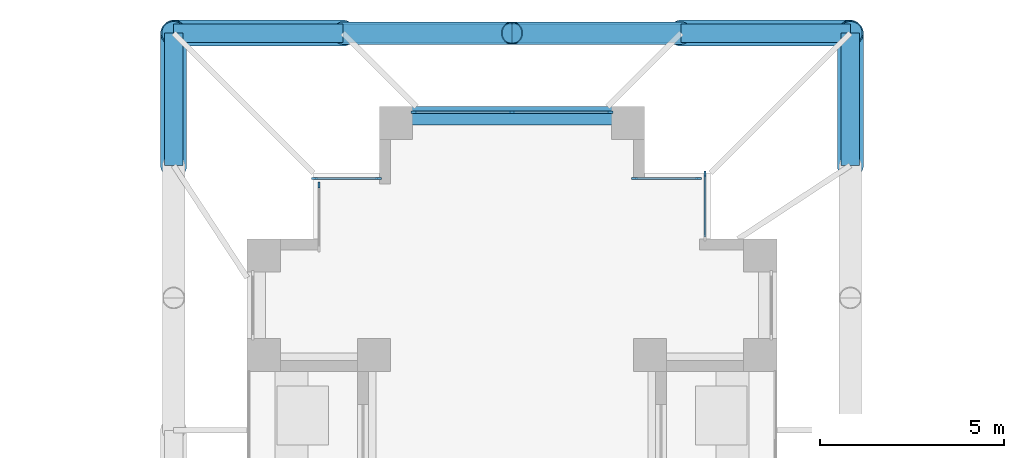
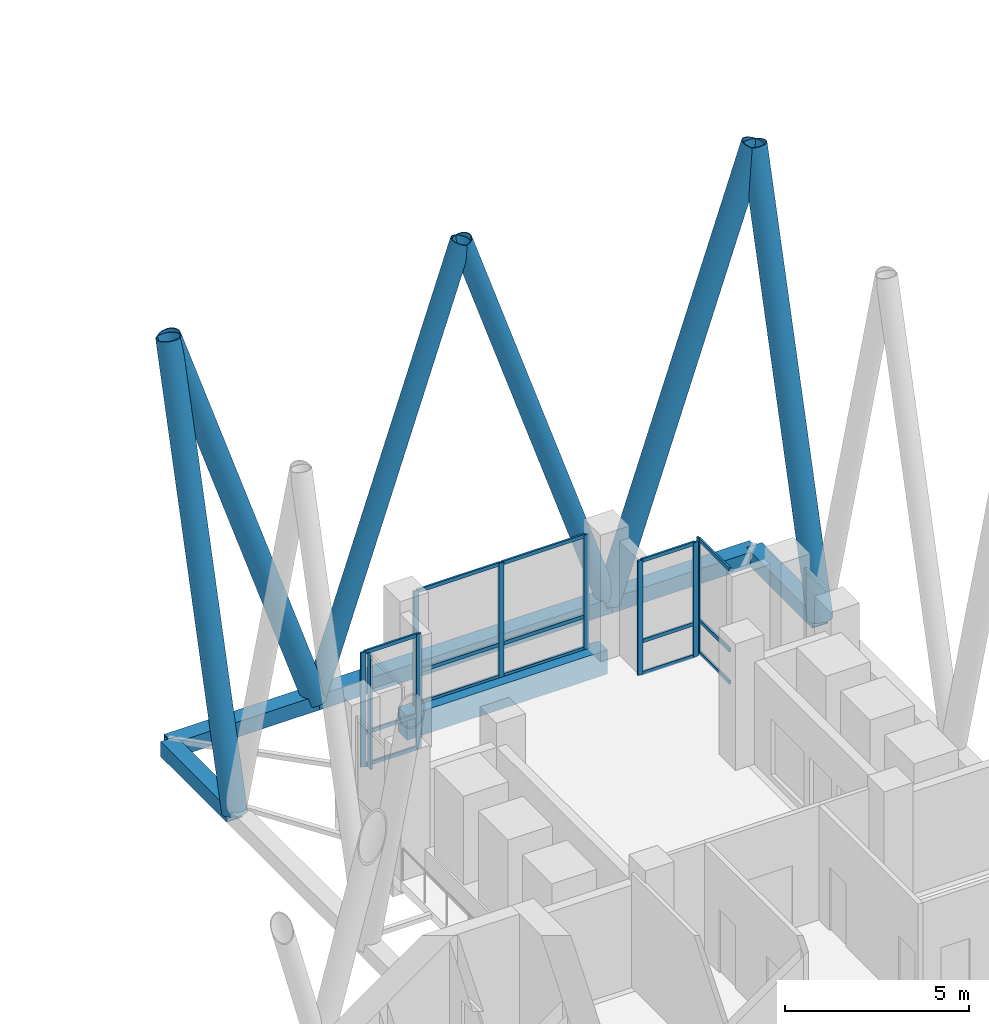
# One storey, part 10 of 22: 35 members, 1 beam, 5 elements without a shape of their own.
"""IFC4 building model written with IfcOpenShell, lengths in metres."""

from ifc_helpers import new_model, si_unit, direction, frame, origin, origin_2d, place, context, subcontext, project, spatial, rectangle, hollow_rectangle, hollow_circle, extrude, material, material_profile, profile_set, type_object, element, aggregate, save


model = new_model("IFC4")

# Units and contexts
model_context = context("Model", 3, precision=1e-05, world=origin(), true_north=direction((0.0, 1.0)))
body_context = subcontext(model_context, "Body", "Model", "MODEL_VIEW")
ifc_project = project(units=[si_unit("LENGTHUNIT", "METRE"), si_unit("AREAUNIT", "SQUARE_METRE"), si_unit("VOLUMEUNIT", "CUBIC_METRE"), si_unit("PLANEANGLEUNIT", "RADIAN"), si_unit("MASSUNIT", "GRAM", prefix="KILO")], contexts=[model_context])

# Site, building, storey
site_placement = place(None, origin())
site = spatial("IfcSite", under=ifc_project, at=site_placement, CompositionType="ELEMENT")
building_placement = place(site_placement, origin())
building = spatial("IfcBuilding", under=site, at=building_placement, Name="Fustian Cross Tower", CompositionType="ELEMENT")
storey_placement = place(building_placement, frame((0.0, 0.0, 116.10009765625)))
storey = spatial("IfcBuildingStorey", under=building, at=storey_placement, Name="L36", CompositionType="ELEMENT", Elevation=116.10009765625)

# Curtain wall, member
ifc_material_1 = material(Name="Dark anodised aluminium and double glazing", Category="aluminium")
curtain_wall_type = type_object("IfcCurtainWallType", Name="CW1 LOUNGE CURTAIN WALL", PredefinedType="NOTDEFINED", material=ifc_material_1)
curtain_wall_1_placement = place(storey_placement, origin())
curtain_wall_1 = element("IfcCurtainWall", 1, at=curtain_wall_1_placement, inside=storey, type_object=curtain_wall_type, Name="Curtain wall", PredefinedType="NOTDEFINED")
ifc_material_2 = material(Name="Aluminium alloy 6063", Category="aluminium")
ifc_material_profile_1 = material_profile(ifc_material_2, rectangle(XDim=0.06005859375, YDim=0.159912109375, at=origin_2d()), Name="CW1 MULLION 60X160")
ifc_profile_set_1 = profile_set([ifc_material_profile_1], Name="Aluminium alloy 6063")
member_type_1 = type_object("IfcMemberType", Name="CW1 MULLION 60X160", PredefinedType="MULLION", material=ifc_profile_set_1)
member_1_placement = place(storey_placement, frame((5.25, 19.77001953125, 0.0), z_axis=(0.0, 0.0, 1.0), x_axis=(-1.0, 0.0, 0.0)))
member_1 = element("IfcMember", 2, at=member_1_placement, type_object=member_type_1, Name="CW1 mullion 2", PredefinedType="MULLION", context=body_context, shape_type="SweptSolid", body=[
    extrude(rectangle(XDim=0.06005859375, YDim=0.159912109375, at=origin_2d()), origin(), (0.0, 0.0, 1.0), 3.7998046875),
])

# Curtain wall, members
curtain_wall_2_placement = place(storey_placement, origin())
curtain_wall_2 = element("IfcCurtainWall", 3, at=curtain_wall_2_placement, inside=storey, type_object=curtain_wall_type, Name="Curtain wall", PredefinedType="NOTDEFINED")
member_2_placement = place(storey_placement, frame((5.070068359375, 19.64990234375, 0.0), z_axis=(0.0, 0.0, 1.0), x_axis=(0.0, -1.0, 0.0)))
member_2 = element("IfcMember", 4, at=member_2_placement, type_object=member_type_1, Name="CW1 mullion 1", PredefinedType="MULLION", context=body_context, shape_type="SweptSolid", body=[
    extrude(rectangle(XDim=0.06005859375, YDim=0.159912109375, at=origin_2d()), origin(), (0.0, 0.0, 1.0), 3.7998046875),
])
member_3_placement = place(storey_placement, frame((3.330078125, 19.64990234375, 0.0), z_axis=(0.0, 0.0, 1.0), x_axis=(0.0, -1.0, 0.0)))
member_3 = element("IfcMember", 5, at=member_3_placement, type_object=member_type_1, Name="CW1 mullion 2", PredefinedType="MULLION", context=body_context, shape_type="SweptSolid", body=[
    extrude(rectangle(XDim=0.06005859375, YDim=0.159912109375, at=origin_2d()), origin(), (0.0, 0.0, 1.0), 3.7998046875),
])

curtain_wall_3_placement = place(storey_placement, origin())
curtain_wall_3 = element("IfcCurtainWall", 6, at=curtain_wall_3_placement, inside=storey, type_object=curtain_wall_type, Name="Curtain wall", PredefinedType="NOTDEFINED")
member_4_placement = place(storey_placement, frame((2.669921875, 21.449951171875, 0.0), z_axis=(0.0, 0.0, 1.0), x_axis=(0.0, -1.0, 0.0)))
member_4 = element("IfcMember", 7, at=member_4_placement, type_object=member_type_1, Name="CW1 mullion 1", PredefinedType="MULLION", context=body_context, shape_type="SweptSolid", body=[
    extrude(rectangle(XDim=0.06005859375, YDim=0.159912109375, at=origin_2d()), origin(), (0.0, 0.0, 1.0), 3.7998046875),
])
member_5_placement = place(storey_placement, frame((0.0, 21.449951171875, 0.0), z_axis=(0.0, 0.0, 1.0), x_axis=(0.0, -1.0, 0.0)))
member_5 = element("IfcMember", 8, at=member_5_placement, type_object=member_type_1, Name="CW1 mullion 2", PredefinedType="MULLION", context=body_context, shape_type="SweptSolid", body=[
    extrude(rectangle(XDim=0.06005859375, YDim=0.159912109375, at=origin_2d()), origin(), (0.0, 0.0, 1.0), 3.7998046875),
])
member_6_placement = place(storey_placement, frame((-2.669921875, 21.449951171875, 0.0), z_axis=(0.0, 0.0, 1.0), x_axis=(0.0, -1.0, 0.0)))
member_6 = element("IfcMember", 9, at=member_6_placement, type_object=member_type_1, Name="CW1 mullion 3", PredefinedType="MULLION", context=body_context, shape_type="SweptSolid", body=[
    extrude(rectangle(XDim=0.06005859375, YDim=0.159912109375, at=origin_2d()), origin(), (0.0, 0.0, 1.0), 3.7998046875),
])

curtain_wall_4_placement = place(storey_placement, origin())
curtain_wall_4 = element("IfcCurtainWall", 10, at=curtain_wall_4_placement, inside=storey, type_object=curtain_wall_type, Name="Curtain wall", PredefinedType="NOTDEFINED")
member_7_placement = place(storey_placement, frame((-3.6298828125, 19.64990234375, 0.0), z_axis=(0.0, 0.0, 1.0), x_axis=(0.0, -1.0, 0.0)))
member_7 = element("IfcMember", 11, at=member_7_placement, type_object=member_type_1, Name="CW1 mullion 1", PredefinedType="MULLION", context=body_context, shape_type="SweptSolid", body=[
    extrude(rectangle(XDim=0.06005859375, YDim=0.159912109375, at=origin_2d()), origin(), (0.0, 0.0, 1.0), 3.7998046875),
])
member_8_placement = place(storey_placement, frame((-5.3701171875, 19.64990234375, 0.0), z_axis=(0.0, 0.0, 1.0), x_axis=(0.0, -1.0, 0.0)))
member_8 = element("IfcMember", 12, at=member_8_placement, type_object=member_type_1, Name="CW1 mullion 2", PredefinedType="MULLION", context=body_context, shape_type="SweptSolid", body=[
    extrude(rectangle(XDim=0.06005859375, YDim=0.159912109375, at=origin_2d()), origin(), (0.0, 0.0, 1.0), 3.7998046875),
])

# Curtain wall, member
curtain_wall_5_placement = place(storey_placement, origin())
curtain_wall_5 = element("IfcCurtainWall", 13, at=curtain_wall_5_placement, inside=storey, type_object=curtain_wall_type, Name="Curtain wall", PredefinedType="NOTDEFINED")
member_9_placement = place(storey_placement, frame((-5.25, 19.469970703125, 0.0), z_axis=(0.0, 0.0, 1.0), x_axis=(1.0, 0.0, 0.0)))
member_9 = element("IfcMember", 14, at=member_9_placement, type_object=member_type_1, Name="CW1 mullion 1", PredefinedType="MULLION", context=body_context, shape_type="SweptSolid", body=[
    extrude(rectangle(XDim=0.06005859375, YDim=0.159912109375, at=origin_2d()), origin(), (0.0, 0.0, 1.0), 3.7998046875),
])
aggregate(curtain_wall_5, [member_9])

# Member
ifc_material_3 = material(Name="Aluminium alloy 6063", Category="aluminium")
ifc_material_profile_2 = material_profile(ifc_material_3, rectangle(XDim=0.06005859375, YDim=0.1201171875, at=origin_2d()), Name="CW1 TRANSOM 60X120")
ifc_profile_set_2 = profile_set([ifc_material_profile_2], Name="Aluminium alloy 6063")
member_type_2 = type_object("IfcMemberType", Name="CW1 TRANSOM 60X120", PredefinedType="USERDEFINED", material=ifc_profile_set_2)
member_10_placement = place(storey_placement, frame((5.25, 18.06005859375, 0.02978515625), z_axis=(0.0, 1.0, 0.0), x_axis=(-1.0, 0.0, 0.0)))
member_10 = element("IfcMember", 15, at=member_10_placement, type_object=member_type_2, Name="CW1 transom 1.1", ObjectType="TRANSOM", PredefinedType="USERDEFINED", context=body_context, shape_type="SweptSolid", body=[
    extrude(rectangle(XDim=0.06005859375, YDim=0.1201171875, at=origin_2d()), origin(), (0.0, 0.0, 1.0), 1.679931640625),
])

member_11_placement = place(storey_placement, frame((5.25, 18.06005859375, 1.099853515625), z_axis=(0.0, 1.0, 0.0), x_axis=(-1.0, 0.0, 0.0)))
member_11 = element("IfcMember", 16, at=member_11_placement, type_object=member_type_2, Name="CW1 transom 1.2", ObjectType="TRANSOM", PredefinedType="USERDEFINED", context=body_context, shape_type="SweptSolid", body=[
    extrude(rectangle(XDim=0.06005859375, YDim=0.1201171875, at=origin_2d()), origin(), (0.0, 0.0, 1.0), 1.679931640625),
])

member_12_placement = place(storey_placement, frame((5.25, 18.06005859375, 3.77001953125), z_axis=(0.0, 1.0, 0.0), x_axis=(-1.0, 0.0, 0.0)))
member_12 = element("IfcMember", 17, at=member_12_placement, type_object=member_type_2, Name="CW1 transom 1.3", ObjectType="TRANSOM", PredefinedType="USERDEFINED", context=body_context, shape_type="SweptSolid", body=[
    extrude(rectangle(XDim=0.06005859375, YDim=0.1201171875, at=origin_2d()), origin(), (0.0, 0.0, 1.0), 1.679931640625),
])

aggregate(curtain_wall_1, [member_1, member_10, member_11, member_12])

member_13_placement = place(storey_placement, frame((5.0400390625, 19.64990234375, 0.02978515625), z_axis=(-1.0, 0.0, 0.0), x_axis=(0.0, -1.0, 0.0)))
member_13 = element("IfcMember", 18, at=member_13_placement, type_object=member_type_2, Name="CW1 transom 1.1", ObjectType="TRANSOM", PredefinedType="USERDEFINED", context=body_context, shape_type="SweptSolid", body=[
    extrude(rectangle(XDim=0.06005859375, YDim=0.1201171875, at=origin_2d()), origin(), (0.0, 0.0, 1.0), 1.679931640625),
])

member_14_placement = place(storey_placement, frame((5.0400390625, 19.64990234375, 1.099853515625), z_axis=(-1.0, 0.0, 0.0), x_axis=(0.0, -1.0, 0.0)))
member_14 = element("IfcMember", 19, at=member_14_placement, type_object=member_type_2, Name="CW1 transom 1.2", ObjectType="TRANSOM", PredefinedType="USERDEFINED", context=body_context, shape_type="SweptSolid", body=[
    extrude(rectangle(XDim=0.06005859375, YDim=0.1201171875, at=origin_2d()), origin(), (0.0, 0.0, 1.0), 1.679931640625),
])

member_15_placement = place(storey_placement, frame((5.0400390625, 19.64990234375, 3.77001953125), z_axis=(-1.0, 0.0, 0.0), x_axis=(0.0, -1.0, 0.0)))
member_15 = element("IfcMember", 20, at=member_15_placement, type_object=member_type_2, Name="CW1 transom 1.3", ObjectType="TRANSOM", PredefinedType="USERDEFINED", context=body_context, shape_type="SweptSolid", body=[
    extrude(rectangle(XDim=0.06005859375, YDim=0.1201171875, at=origin_2d()), origin(), (0.0, 0.0, 1.0), 1.679931640625),
])

aggregate(curtain_wall_2, [member_2, member_3, member_13, member_14, member_15])

member_16_placement = place(storey_placement, frame((2.639892578125, 21.449951171875, 0.02978515625), z_axis=(-1.0, 0.0, 0.0), x_axis=(0.0, -1.0, 0.0)))
member_16 = element("IfcMember", 21, at=member_16_placement, type_object=member_type_2, Name="CW1 transom 1.1", ObjectType="TRANSOM", PredefinedType="USERDEFINED", context=body_context, shape_type="SweptSolid", body=[
    extrude(rectangle(XDim=0.06005859375, YDim=0.1201171875, at=origin_2d()), origin(), (0.0, 0.0, 1.0), 2.60986328125),
])

member_17_placement = place(storey_placement, frame((2.639892578125, 21.449951171875, 1.099853515625), z_axis=(-1.0, 0.0, 0.0), x_axis=(0.0, -1.0, 0.0)))
member_17 = element("IfcMember", 22, at=member_17_placement, type_object=member_type_2, Name="CW1 transom 1.2", ObjectType="TRANSOM", PredefinedType="USERDEFINED", context=body_context, shape_type="SweptSolid", body=[
    extrude(rectangle(XDim=0.06005859375, YDim=0.1201171875, at=origin_2d()), origin(), (0.0, 0.0, 1.0), 2.60986328125),
])

member_18_placement = place(storey_placement, frame((2.639892578125, 21.449951171875, 3.77001953125), z_axis=(-1.0, 0.0, 0.0), x_axis=(0.0, -1.0, 0.0)))
member_18 = element("IfcMember", 23, at=member_18_placement, type_object=member_type_2, Name="CW1 transom 1.3", ObjectType="TRANSOM", PredefinedType="USERDEFINED", context=body_context, shape_type="SweptSolid", body=[
    extrude(rectangle(XDim=0.06005859375, YDim=0.1201171875, at=origin_2d()), origin(), (0.0, 0.0, 1.0), 2.60986328125),
])

member_19_placement = place(storey_placement, frame((-0.030029296875, 21.449951171875, 0.02978515625), z_axis=(-1.0, 0.0, 0.0), x_axis=(0.0, -1.0, 0.0)))
member_19 = element("IfcMember", 24, at=member_19_placement, type_object=member_type_2, Name="CW1 transom 2.1", ObjectType="TRANSOM", PredefinedType="USERDEFINED", context=body_context, shape_type="SweptSolid", body=[
    extrude(rectangle(XDim=0.06005859375, YDim=0.1201171875, at=origin_2d()), origin(), (0.0, 0.0, 1.0), 2.60986328125),
])

member_20_placement = place(storey_placement, frame((-0.030029296875, 21.449951171875, 1.099853515625), z_axis=(-1.0, 0.0, 0.0), x_axis=(0.0, -1.0, 0.0)))
member_20 = element("IfcMember", 25, at=member_20_placement, type_object=member_type_2, Name="CW1 transom 2.2", ObjectType="TRANSOM", PredefinedType="USERDEFINED", context=body_context, shape_type="SweptSolid", body=[
    extrude(rectangle(XDim=0.06005859375, YDim=0.1201171875, at=origin_2d()), origin(), (0.0, 0.0, 1.0), 2.60986328125),
])

member_21_placement = place(storey_placement, frame((-0.030029296875, 21.449951171875, 3.77001953125), z_axis=(-1.0, 0.0, 0.0), x_axis=(0.0, -1.0, 0.0)))
member_21 = element("IfcMember", 26, at=member_21_placement, type_object=member_type_2, Name="CW1 transom 2.3", ObjectType="TRANSOM", PredefinedType="USERDEFINED", context=body_context, shape_type="SweptSolid", body=[
    extrude(rectangle(XDim=0.06005859375, YDim=0.1201171875, at=origin_2d()), origin(), (0.0, 0.0, 1.0), 2.60986328125),
])

aggregate(curtain_wall_3, [member_4, member_5, member_6, member_16, member_17, member_18, member_19, member_20, member_21])

member_22_placement = place(storey_placement, frame((-3.659912109375, 19.64990234375, 0.02978515625), z_axis=(-1.0, 0.0, 0.0), x_axis=(0.0, -1.0, 0.0)))
member_22 = element("IfcMember", 27, at=member_22_placement, type_object=member_type_2, Name="CW1 transom 1.1", ObjectType="TRANSOM", PredefinedType="USERDEFINED", context=body_context, shape_type="SweptSolid", body=[
    extrude(rectangle(XDim=0.06005859375, YDim=0.1201171875, at=origin_2d()), origin(), (0.0, 0.0, 1.0), 1.68017578125),
])

member_23_placement = place(storey_placement, frame((-3.659912109375, 19.64990234375, 1.099853515625), z_axis=(-1.0, 0.0, 0.0), x_axis=(0.0, -1.0, 0.0)))
member_23 = element("IfcMember", 28, at=member_23_placement, type_object=member_type_2, Name="CW1 transom 1.2", ObjectType="TRANSOM", PredefinedType="USERDEFINED", context=body_context, shape_type="SweptSolid", body=[
    extrude(rectangle(XDim=0.06005859375, YDim=0.1201171875, at=origin_2d()), origin(), (0.0, 0.0, 1.0), 1.68017578125),
])

member_24_placement = place(storey_placement, frame((-3.659912109375, 19.64990234375, 3.77001953125), z_axis=(-1.0, 0.0, 0.0), x_axis=(0.0, -1.0, 0.0)))
member_24 = element("IfcMember", 29, at=member_24_placement, type_object=member_type_2, Name="CW1 transom 1.3", ObjectType="TRANSOM", PredefinedType="USERDEFINED", context=body_context, shape_type="SweptSolid", body=[
    extrude(rectangle(XDim=0.06005859375, YDim=0.1201171875, at=origin_2d()), origin(), (0.0, 0.0, 1.0), 1.68017578125),
])

aggregate(curtain_wall_4, [member_7, member_8, member_22, member_23, member_24])

# Members
ifc_material_4 = material(Name="Steel S355", Category="steel")
ifc_material_profile_3 = material_profile(ifc_material_4, hollow_circle(Radius=0.3046875, WallThickness=0.02490234375, at=origin_2d()), Name="CHS 610x25")
ifc_profile_set_3 = profile_set([ifc_material_profile_3], Name="Steel S355")
member_type_3 = type_object("IfcMemberType", Name="DIAGRID DIAGONAL CHS 610x25", PredefinedType="BRACE", material=ifc_profile_set_3)
for number, where, z_axis, x_axis, name in (
    (30, (4.60009765625, 23.60009765625, -0.400146484375), (-0.32040791786, 0.0, 0.947279666293), (0.0, -1.0, 0.0), "Diagrid diagonal N-end 02"),
    (31, (-4.60009765625, 23.60009765625, -0.400146484375), (0.32040791786, 0.0, 0.947279666293), (0.0, 1.0, 0.0), "Diagrid diagonal N-end 03"),
):
    element("IfcMember", number, at=place(storey_placement, frame(where, z_axis=z_axis, x_axis=x_axis)), inside=storey, type_object=member_type_3, Name=name, PredefinedType="BRACE", context=body_context, shape_type="SweptSolid", body=[
        extrude(hollow_circle(Radius=0.3046875, WallThickness=0.02490234375, at=origin_2d()), origin(), (0.0, 0.0, 1.0), 14.35693359375),
    ])
ifc_material_5 = material(Name="Steel S355", Category="steel")
ifc_material_profile_4 = material_profile(ifc_material_5, hollow_circle(Radius=0.355712890625, WallThickness=0.031982421875, at=origin_2d()), Name="CHS 711x32")
ifc_profile_set_4 = profile_set([ifc_material_profile_4], Name="Steel S355")
member_type_4 = type_object("IfcMemberType", Name="DIAGRID DIAGONAL CHS 711x32", PredefinedType="BRACE", material=ifc_profile_set_4)
member_25_placement = place(storey_placement, frame((9.199951171875, 20.0, -0.400146484375), z_axis=(0.0, 0.255897330119, 0.966703965254), x_axis=(-1.0, 0.0, 0.0)))
element("IfcMember", 32, at=member_25_placement, inside=storey, type_object=member_type_4, Name="Diagrid diagonal N-E 04", PredefinedType="BRACE", context=body_context, shape_type="SweptSolid", body=[
    extrude(hollow_circle(Radius=0.355712890625, WallThickness=0.031982421875, at=origin_2d()), origin(), (0.0, 0.0, 1.0), 14.068603515625),
])
for number, where, z_axis, x_axis, name in (
    (33, (4.60009765625, 23.60009765625, -0.400146484375), (0.320392658503, 0.0, 0.947284827482), (0.0, 1.0, 0.0), "Diagrid diagonal N-end 01"),
    (34, (-4.60009765625, 23.60009765625, -0.400146484375), (-0.320392658503, 0.0, 0.947284827482), (0.0, -1.0, 0.0), "Diagrid diagonal N-end 04"),
):
    element("IfcMember", number, at=place(storey_placement, frame(where, z_axis=z_axis, x_axis=x_axis)), inside=storey, type_object=member_type_4, Name=name, PredefinedType="BRACE", context=body_context, shape_type="SweptSolid", body=[
        extrude(hollow_circle(Radius=0.355712890625, WallThickness=0.031982421875, at=origin_2d()), origin(), (0.0, 0.0, 1.0), 14.35693359375),
    ])
member_26_placement = place(storey_placement, frame((-9.199951171875, 20.0, -0.400146484375), z_axis=(0.0, 0.255897330119, 0.966703965254), x_axis=(-1.0, 0.0, 0.0)))
element("IfcMember", 35, at=member_26_placement, inside=storey, type_object=member_type_4, Name="Diagrid diagonal N-W 01", PredefinedType="BRACE", context=body_context, shape_type="SweptSolid", body=[
    extrude(hollow_circle(Radius=0.355712890625, WallThickness=0.031982421875, at=origin_2d()), origin(), (0.0, 0.0, 1.0), 14.068603515625),
])
ifc_material_6 = material(Name="Steel S355", Category="steel")
ifc_material_profile_5 = material_profile(ifc_material_6, hollow_rectangle(XDim=0.5, YDim=0.5, WallThickness=0.02490234375, at=origin_2d()), Name="RHS 500x500x25")
ifc_profile_set_5 = profile_set([ifc_material_profile_5], Name="Steel S355")
member_type_5 = type_object("IfcMemberType", Name="DIAGRID RING RHS 500x500x25", PredefinedType="MEMBER", material=ifc_profile_set_5)
member_27_placement = place(storey_placement, frame((9.199951171875, 20.0, -0.400146484375), z_axis=(0.0, 1.0, 0.0), x_axis=(-1.0, 0.0, 0.0)))
element("IfcMember", 36, at=member_27_placement, inside=storey, type_object=member_type_5, Name="Diagrid ring L36-10 L36-11", PredefinedType="MEMBER", context=body_context, shape_type="SweptSolid", body=[
    extrude(hollow_rectangle(XDim=0.5, YDim=0.5, WallThickness=0.02490234375, at=origin_2d()), origin(), (0.0, 0.0, 1.0), 3.60009765625),
])
member_28_placement = place(storey_placement, frame((9.199951171875, 23.60009765625, -0.400146484375), z_axis=(-1.0, 0.0, 0.0), x_axis=(0.0, -1.0, 0.0)))
element("IfcMember", 37, at=member_28_placement, inside=storey, type_object=member_type_5, Name="Diagrid ring L36-11 L36-12", PredefinedType="MEMBER", context=body_context, shape_type="SweptSolid", body=[
    extrude(hollow_rectangle(XDim=0.5, YDim=0.5, WallThickness=0.02490234375, at=origin_2d()), origin(), (0.0, 0.0, 1.0), 4.599853515625),
])
member_29_placement = place(storey_placement, frame((4.60009765625, 23.60009765625, -0.400146484375), z_axis=(-1.0, 0.0, 0.0), x_axis=(0.0, -1.0, 0.0)))
element("IfcMember", 38, at=member_29_placement, inside=storey, type_object=member_type_5, Name="Diagrid ring L36-12 L36-13", PredefinedType="MEMBER", context=body_context, shape_type="SweptSolid", body=[
    extrude(hollow_rectangle(XDim=0.5, YDim=0.5, WallThickness=0.02490234375, at=origin_2d()), origin(), (0.0, 0.0, 1.0), 9.2001953125),
])
member_30_placement = place(storey_placement, frame((-4.60009765625, 23.60009765625, -0.400146484375), z_axis=(-1.0, 0.0, 0.0), x_axis=(0.0, -1.0, 0.0)))
element("IfcMember", 39, at=member_30_placement, inside=storey, type_object=member_type_5, Name="Diagrid ring L36-13 L36-14", PredefinedType="MEMBER", context=body_context, shape_type="SweptSolid", body=[
    extrude(hollow_rectangle(XDim=0.5, YDim=0.5, WallThickness=0.02490234375, at=origin_2d()), origin(), (0.0, 0.0, 1.0), 4.599853515625),
])
member_31_placement = place(storey_placement, frame((-9.199951171875, 23.60009765625, -0.400146484375), z_axis=(0.0, -1.0, 0.0), x_axis=(1.0, 0.0, 0.0)))
element("IfcMember", 40, at=member_31_placement, inside=storey, type_object=member_type_5, Name="Diagrid ring L36-14 L36-15", PredefinedType="MEMBER", context=body_context, shape_type="SweptSolid", body=[
    extrude(hollow_rectangle(XDim=0.5, YDim=0.5, WallThickness=0.02490234375, at=origin_2d()), origin(), (0.0, 0.0, 1.0), 3.60009765625),
])

# Beam
ifc_material_7 = material(Name="Concrete C50/60", Category="concrete")
ifc_material_profile_6 = material_profile(ifc_material_7, rectangle(XDim=0.5, YDim=0.800048828125, at=origin_2d()), Name="RC 500x800")
ifc_profile_set_6 = profile_set([ifc_material_profile_6], Name="Concrete C50/60")
beam_type = type_object("IfcBeamType", Name="EDGE BEAM RC 500x800 C50/60", PredefinedType="SPANDREL", material=ifc_profile_set_6)
beam_placement = place(storey_placement, frame((3.14990234375, 21.35009765625, -0.400146484375), z_axis=(-1.0, 0.0, 0.0), x_axis=(0.0, -1.0, 0.0)))
element("IfcBeam", 41, at=beam_placement, inside=storey, type_object=beam_type, Name="EDGE BEAM L36-14", PredefinedType="SPANDREL", context=body_context, shape_type="SweptSolid", body=[
    extrude(rectangle(XDim=0.5, YDim=0.800048828125, at=origin_2d()), origin(), (0.0, 0.0, 1.0), 6.2998046875),
])

save(model, "model.ifc")
